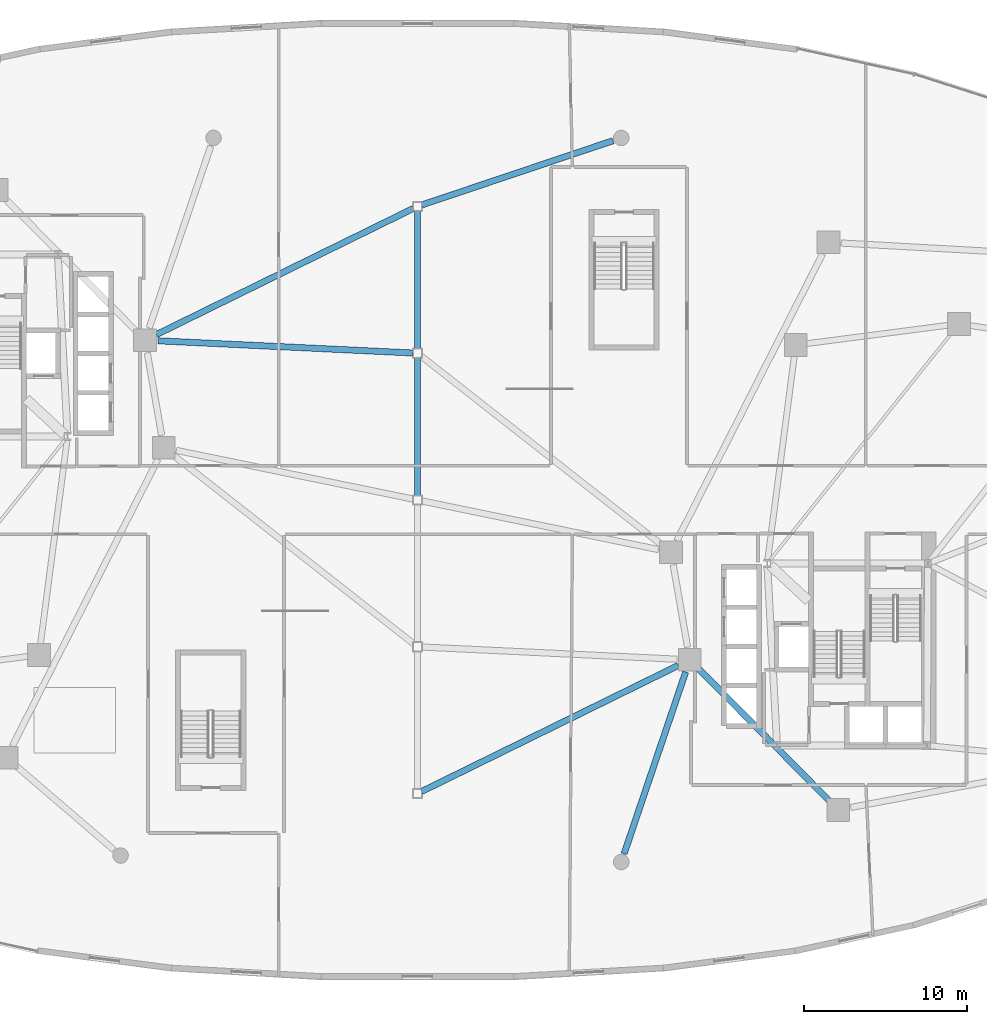
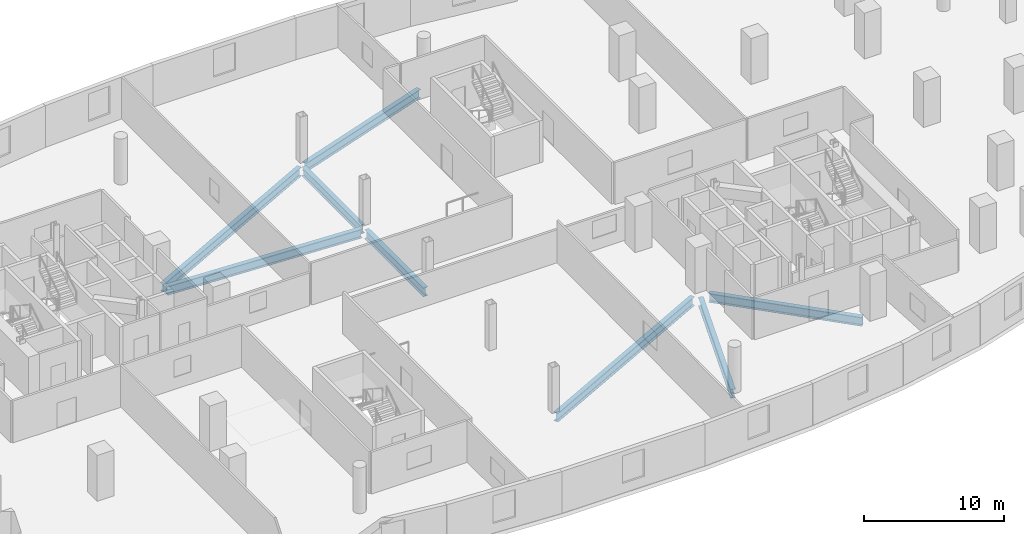
# One storey, part 6 of 18: 8 beams.
"""IFC4 building model written with IfcOpenShell, lengths in metres."""

from ifc_helpers import new_model, si_unit, direction, frame, origin, origin_2d, place, context, subcontext, project, spatial, i_section, extrude, material, material_profile, profile_set, type_object, element, save


model = new_model("IFC4")

# Units and contexts
model_context = context("Model", 3, precision=1e-05, world=origin(), true_north=direction((0.0, 1.0)))
body_context = subcontext(model_context, "Body", "Model", "MODEL_VIEW")
ifc_project = project(units=[si_unit("LENGTHUNIT", "METRE"), si_unit("AREAUNIT", "SQUARE_METRE"), si_unit("VOLUMEUNIT", "CUBIC_METRE"), si_unit("PLANEANGLEUNIT", "RADIAN"), si_unit("MASSUNIT", "GRAM", prefix="KILO"), si_unit("THERMODYNAMICTEMPERATUREUNIT", "KELVIN"), si_unit("POWERUNIT", "WATT")], contexts=[model_context])

# Site, building, storey
site_placement = place(None, origin())
site = spatial("IfcSite", under=ifc_project, at=site_placement, CompositionType="ELEMENT")
building_placement = place(site_placement, origin())
building = spatial("IfcBuilding", under=site, at=building_placement, Name="Cundina Bronze Exchange", CompositionType="ELEMENT")
storey_placement = place(building_placement, frame((0.0, 0.0, 12.0)))
storey = spatial("IfcBuildingStorey", under=building, at=storey_placement, Name="L02", CompositionType="ELEMENT", Elevation=12.0)

# Beams
ifc_material = material(Name="Steel ASTM A992 Grade 50", Category="steel")
ifc_material_profile = material_profile(ifc_material, i_section(OverallWidth=0.381103515625, OverallDepth=0.77294921875, WebThickness=0.0166015625, FlangeThickness=0.027099609375, FilletRadius=0.01904296875, at=origin_2d()), Name="W30X173", Category="steel")
ifc_profile_set = profile_set([ifc_material_profile], Name="Steel ASTM A992 Grade 50")
beam_type = type_object("IfcBeamType", Name="BM-RING-W30", PredefinedType="USERDEFINED", material=ifc_profile_set)
for number, where, z_axis, x_axis, name in (
    (1, (0.0, 0.2880859375, -0.736572265625), (0.0, 1.0, 0.0), (-1.0, 0.0, 0.0), "L02 Concourse Spine Longitudinal Girder 03"),
    (2, (0.0, 9.2880859375, -0.736572265625), (0.0, 1.0, 0.0), (-1.0, 0.0, 0.0), "L02 Concourse Spine Longitudinal Girder 04"),
):
    element("IfcBeam", number, at=place(storey_placement, frame(where, z_axis=z_axis, x_axis=x_axis)), inside=storey, type_object=beam_type, Name=name, ObjectType="GIRDER", PredefinedType="USERDEFINED", context=body_context, shape_type="SweptSolid", body=[
        extrude(i_section(OverallWidth=0.381103515625, OverallDepth=0.77294921875, WebThickness=0.0166015625, FlangeThickness=0.027099609375, FilletRadius=0.01904296875, at=origin_2d()), origin(), (0.0, 0.0, 1.0), 8.423828125),
    ])
beam_1_placement = place(storey_placement, frame((11.989990234375, 22.028564453125, -0.736572265625), z_axis=(-0.947926096535, -0.318490369567, 0.0), x_axis=(0.318490369567, -0.947926096535, 0.0)))
element("IfcBeam", 3, at=beam_1_placement, inside=storey, type_object=beam_type, Name="L02 Podium Colonnade Tie Beam 04", ObjectType="GIRDER", PredefinedType="USERDEFINED", context=body_context, shape_type="SweptSolid", body=[
    extrude(i_section(OverallWidth=0.381103515625, OverallDepth=0.77294921875, WebThickness=0.0166015625, FlangeThickness=0.027099609375, FilletRadius=0.01904296875, at=origin_2d()), origin(), (0.0, 0.0, 1.0), 12.360595703125),
])
beam_2_placement = place(storey_placement, frame((12.672607421875, -21.6904296875, -0.736572265625), z_axis=(0.320811837352, 0.947142948564, 0.0), x_axis=(-0.947142948564, 0.320811837352, 0.0)))
element("IfcBeam", 4, at=beam_2_placement, inside=storey, type_object=beam_type, Name="L02 Podium Colonnade Tie Beam 05", ObjectType="GIRDER", PredefinedType="USERDEFINED", context=body_context, shape_type="SweptSolid", body=[
    extrude(i_section(OverallWidth=0.381103515625, OverallDepth=0.77294921875, WebThickness=0.0166015625, FlangeThickness=0.027099609375, FilletRadius=0.01904296875, at=origin_2d()), origin(), (0.0, 0.0, 1.0), 11.765869140625),
])
beam_3_placement = place(storey_placement, frame((0.258544921875, -17.873046875, -0.736572265625), z_axis=(0.897626935378, 0.44075603783, 0.0), x_axis=(-0.44075603783, 0.897626935378, 0.0)))
element("IfcBeam", 5, at=beam_3_placement, inside=storey, type_object=beam_type, Name="L02 Concourse East Span Girder 01", ObjectType="GIRDER", PredefinedType="USERDEFINED", context=body_context, shape_type="SweptSolid", body=[
    extrude(i_section(OverallWidth=0.381103515625, OverallDepth=0.77294921875, WebThickness=0.0166015625, FlangeThickness=0.027099609375, FilletRadius=0.01904296875, at=origin_2d()), origin(), (0.0, 0.0, 1.0), 17.528564453125),
])
beam_4_placement = place(storey_placement, frame((-15.912841796875, 9.76220703125, -0.736572265625), z_axis=(0.998855248542, -0.047835054714, 0.0), x_axis=(0.047835054714, 0.998855248542, 0.0)))
element("IfcBeam", 6, at=beam_4_placement, inside=storey, type_object=beam_type, Name="L02 Concourse West Span Girder 04", ObjectType="GIRDER", PredefinedType="USERDEFINED", context=body_context, shape_type="SweptSolid", body=[
    extrude(i_section(OverallWidth=0.381103515625, OverallDepth=0.77294921875, WebThickness=0.0166015625, FlangeThickness=0.027099609375, FilletRadius=0.01904296875, at=origin_2d()), origin(), (0.0, 0.0, 1.0), 15.64306640625),
])
beam_5_placement = place(storey_placement, frame((-15.99267578125, 10.147216796875, -0.736572265625), z_axis=(0.897626935378, 0.44075603783, 0.0), x_axis=(-0.44075603783, 0.897626935378, 0.0)))
element("IfcBeam", 7, at=beam_5_placement, inside=storey, type_object=beam_type, Name="L02 Concourse West Span Girder 05", ObjectType="GIRDER", PredefinedType="USERDEFINED", context=body_context, shape_type="SweptSolid", body=[
    extrude(i_section(OverallWidth=0.381103515625, OverallDepth=0.77294921875, WebThickness=0.0166015625, FlangeThickness=0.027099609375, FilletRadius=0.01904296875, at=origin_2d()), origin(), (0.0, 0.0, 1.0), 17.528564453125),
])
beam_6_placement = place(storey_placement, frame((17.254150390625, -10.360107421875, -0.736572265625), z_axis=(0.703229241487, -0.710963173391, 0.0), x_axis=(0.710963173391, 0.703229241487, 0.0)))
element("IfcBeam", 8, at=beam_6_placement, inside=storey, type_object=beam_type, Name="L02 E Podium Ring Girder 02", ObjectType="GIRDER", PredefinedType="USERDEFINED", context=body_context, shape_type="SweptSolid", body=[
    extrude(i_section(OverallWidth=0.381103515625, OverallDepth=0.77294921875, WebThickness=0.0166015625, FlangeThickness=0.027099609375, FilletRadius=0.01904296875, at=origin_2d()), origin(), (0.0, 0.0, 1.0), 11.3642578125),
])

save(model, "model.ifc")
